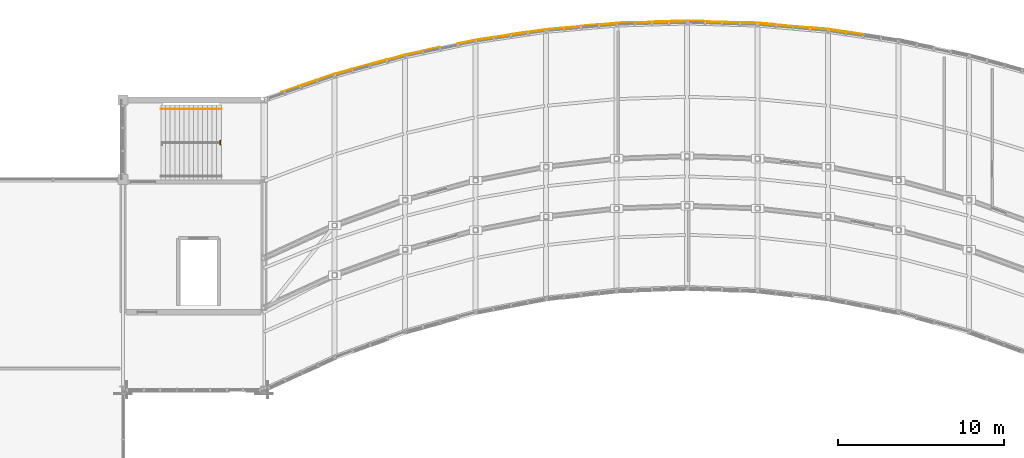
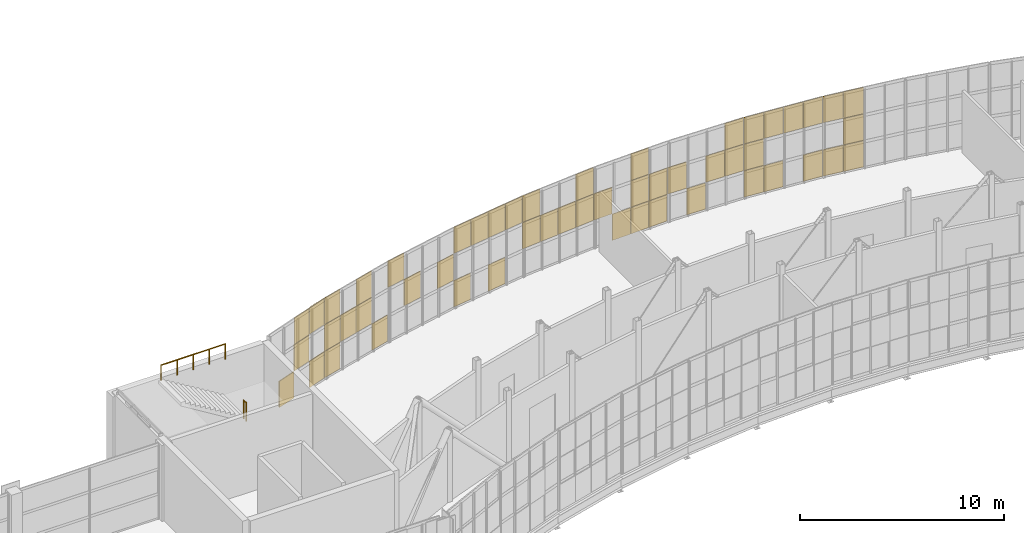
# One storey, part 44 of 46: 52 coverings, 2 railings.
"""IFC4 building model written with IfcOpenShell, lengths in metres."""

from ifc_helpers import new_model, si_unit, direction, frame, origin, origin_2d, place, context, subcontext, project, spatial, rectangle, circle, extrude, material, layer, layer_set, type_object, element, save


model = new_model("IFC4")

# Units and contexts
model_context = context("Model", 3, precision=1e-05, world=origin(), true_north=direction((0.0, 1.0)))
body_context = subcontext(model_context, "Body", "Model", "MODEL_VIEW")
ifc_project = project(units=[si_unit("LENGTHUNIT", "METRE"), si_unit("AREAUNIT", "SQUARE_METRE"), si_unit("VOLUMEUNIT", "CUBIC_METRE"), si_unit("PLANEANGLEUNIT", "RADIAN"), si_unit("MASSUNIT", "GRAM", prefix="KILO")], contexts=[model_context])

# Site, building, storey
site_placement = place(None, origin())
site = spatial("IfcSite", under=ifc_project, at=site_placement, CompositionType="ELEMENT")
building_placement = place(site_placement, origin())
building = spatial("IfcBuilding", under=site, at=building_placement, Name="Solvikara Media Centre", CompositionType="ELEMENT")
storey_placement = place(building_placement, frame((0.0, 0.0, 24.60009765625)))
storey = spatial("IfcBuildingStorey", under=building, at=storey_placement, Name="L05", CompositionType="ELEMENT", Elevation=24.60009765625)

# Coverings
ifc_material_1 = material(Name="GFRC white mineral architectural rainscreen panel")
ifc_layer_1 = layer(ifc_material_1, 0.050048828125)
ifc_layer_set_1 = layer_set([ifc_layer_1], Name="GFRC white mineral architectural rainscreen panel")
covering_type_1 = type_object("IfcCoveringType", Name="CV-04", PredefinedType="CLADDING", material=ifc_layer_set_1)
for number, where, z_axis, x_axis, name in (
    (1, (78.06298828125, 37.43603515625, 0.0146484375), (0.0, 0.0, 1.0), (0.945807995037, 0.324726402566, 0.0), "CW-L05-NARC-00-SF-10"),
    (2, (79.1259765625, 37.802001953125, 1.61474609375), (0.0, 0.0, 1.0), (0.945807995037, 0.324726402566, 0.0), "CW-L05-NARC-00-SF-21"),
    (3, (80.18798828125, 38.166015625, 0.0146484375), (0.0, 0.0, 1.0), (0.945807995037, 0.324726402566, 0.0), "CW-L05-NARC-00-SF-30"),
    (4, (80.18798828125, 38.166015625, 3.21484375), (0.0, 0.0, 1.0), (0.945807995037, 0.324726402566, 0.0), "CW-L05-NARC-00-SF-32"),
):
    element("IfcCovering", number, at=place(storey_placement, frame(where, z_axis=z_axis, x_axis=x_axis)), inside=storey, type_object=covering_type_1, Name=name, PredefinedType="CLADDING", context=body_context, shape_type="SweptSolid", body=[
        extrude(rectangle(XDim=1.093017578125, YDim=0.050048828125, at=origin_2d()), origin(), (0.0, 0.0, 1.0), 1.570068359375),
    ])
covering_1_placement = place(storey_placement, frame((81.256103515625, 38.4970703125, 0.0146484375), z_axis=(0.0, 0.0, 1.0), x_axis=(0.964289807992, 0.26484932736, 0.0)))
element("IfcCovering", 5, at=covering_1_placement, inside=storey, type_object=covering_type_1, Name="CW-L05-NARC-01-SF-00", PredefinedType="CLADDING", context=body_context, shape_type="SweptSolid", body=[
    extrude(rectangle(XDim=1.072021484375, YDim=0.050048828125, at=origin_2d()), origin(), (0.0, 0.0, 1.0), 1.570068359375),
])
for number, where, z_axis, x_axis, name in (
    (6, (82.319091796875, 38.7900390625, 1.61474609375), (0.0, 0.0, 1.0), (0.964049041264, 0.265724379832, 0.0), "CW-L05-NARC-01-SF-11"),
    (7, (83.381103515625, 39.08203125, 1.61474609375), (0.0, 0.0, 1.0), (0.964049041264, 0.265724379832, 0.0), "CW-L05-NARC-01-SF-21"),
):
    element("IfcCovering", number, at=place(storey_placement, frame(where, z_axis=z_axis, x_axis=x_axis)), inside=storey, type_object=covering_type_1, Name=name, PredefinedType="CLADDING", context=body_context, shape_type="SweptSolid", body=[
        extrude(rectangle(XDim=1.072998046875, YDim=0.050048828125, at=origin_2d()), origin(), (0.0, 0.0, 1.0), 1.570068359375),
    ])
covering_2_placement = place(storey_placement, frame((86.574951171875, 39.860107421875, 1.61474609375), z_axis=(0.0, 0.0, 1.0), x_axis=(0.978447760018, 0.206494505776, 0.0)))
element("IfcCovering", 8, at=covering_2_placement, inside=storey, type_object=covering_type_1, Name="CW-L05-NARC-02-SF-11", PredefinedType="CLADDING", context=body_context, shape_type="SweptSolid", body=[
    extrude(rectangle(XDim=1.055908203125, YDim=0.050048828125, at=origin_2d()), origin(), (0.0, 0.0, 1.0), 1.570068359375),
])
covering_3_placement = place(storey_placement, frame((91.89306640625, 40.819091796875, 3.21484375), z_axis=(0.0, 0.0, 1.0), x_axis=(0.989069971909, 0.147446907963, 0.0)))
element("IfcCovering", 9, at=covering_3_placement, inside=storey, type_object=covering_type_1, Name="CW-L05-NARC-03-SF-22", PredefinedType="CLADDING", context=body_context, shape_type="SweptSolid", body=[
    extrude(rectangle(XDim=1.0439453125, YDim=0.050048828125, at=origin_2d()), origin(), (0.0, 0.0, 1.0), 1.570068359375),
])
covering_4_placement = place(storey_placement, frame((96.14794921875, 41.29296875, 1.61474609375), z_axis=(0.0, 0.0, 1.0), x_axis=(0.996050368938, 0.088789991203, 0.0)))
element("IfcCovering", 10, at=covering_4_placement, inside=storey, type_object=covering_type_1, Name="CW-L05-NARC-04-SF-21", PredefinedType="CLADDING", context=body_context, shape_type="SweptSolid", body=[
    extrude(rectangle(XDim=1.035888671875, YDim=0.050048828125, at=origin_2d()), origin(), (0.0, 0.0, 1.0), 1.570068359375),
])
for number, where, z_axis, x_axis, name in (
    (11, (98.279052734375, 41.450927734375, 1.61474609375), (0.0, 0.0, 1.0), (0.999549967461, 0.02999770905, 0.0), "CW-L05-NARC-05-SF-01"),
    (12, (100.404052734375, 41.513916015625, 3.21484375), (0.0, 0.0, 1.0), (0.999549967461, 0.02999770905, 0.0), "CW-L05-NARC-05-SF-22"),
):
    element("IfcCovering", number, at=place(storey_placement, frame(where, z_axis=z_axis, x_axis=x_axis)), inside=storey, type_object=covering_type_1, Name=name, PredefinedType="CLADDING", context=body_context, shape_type="SweptSolid", body=[
        extrude(rectangle(XDim=1.032958984375, YDim=0.050048828125, at=origin_2d()), origin(), (0.0, 0.0, 1.0), 1.570068359375),
    ])
for number, where, z_axis, x_axis, name in (
    (13, (101.466064453125, 41.5458984375, 0.0146484375), (0.0, 0.0, 1.0), (0.999548919735, 0.030032599908, 0.0), "CW-L05-NARC-05-SF-30"),
    (14, (102.533935546875, 41.5458984375, 1.61474609375), (0.0, 0.0, 1.0), (0.999548919735, -0.030032599908, 0.0), "CW-L05-NARC-06-SF-01"),
):
    element("IfcCovering", number, at=place(storey_placement, frame(where, z_axis=z_axis, x_axis=x_axis)), inside=storey, type_object=covering_type_1, Name=name, PredefinedType="CLADDING", context=body_context, shape_type="SweptSolid", body=[
        extrude(rectangle(XDim=1.031982421875, YDim=0.050048828125, at=origin_2d()), origin(), (0.0, 0.0, 1.0), 1.570068359375),
    ])
covering_5_placement = place(storey_placement, frame((105.720947265625, 41.450927734375, 1.61474609375), z_axis=(0.0, 0.0, 1.0), x_axis=(0.999549967461, -0.02999770905, 0.0)))
element("IfcCovering", 15, at=covering_5_placement, inside=storey, type_object=covering_type_1, Name="CW-L05-NARC-06-SF-31", PredefinedType="CLADDING", context=body_context, shape_type="SweptSolid", body=[
    extrude(rectangle(XDim=1.032958984375, YDim=0.050048828125, at=origin_2d()), origin(), (0.0, 0.0, 1.0), 1.570068359375),
])
covering_6_placement = place(storey_placement, frame((106.7900390625, 41.387939453125, 0.0146484375), z_axis=(0.0, 0.0, 1.0), x_axis=(0.996142803437, -0.087746881202, 0.0)))
element("IfcCovering", 16, at=covering_6_placement, inside=storey, type_object=covering_type_1, Name="CW-L05-NARC-07-SF-00", PredefinedType="CLADDING", context=body_context, shape_type="SweptSolid", body=[
    extrude(rectangle(XDim=1.037109375, YDim=0.050048828125, at=origin_2d()), origin(), (0.0, 0.0, 1.0), 1.570068359375),
])
covering_7_placement = place(storey_placement, frame((109.97705078125, 41.10498046875, 0.0146484375), z_axis=(0.0, 0.0, 1.0), x_axis=(0.996050368938, -0.088789991203, 0.0)))
element("IfcCovering", 17, at=covering_7_placement, inside=storey, type_object=covering_type_1, Name="CW-L05-NARC-07-SF-30", PredefinedType="CLADDING", context=body_context, shape_type="SweptSolid", body=[
    extrude(rectangle(XDim=1.035888671875, YDim=0.050048828125, at=origin_2d()), origin(), (0.0, 0.0, 1.0), 1.570068359375),
])
covering_8_placement = place(storey_placement, frame((111.0458984375, 40.97705078125, 0.0146484375), z_axis=(0.0, 0.0, 1.0), x_axis=(0.988930567215, -0.148379018826, 0.0)))
element("IfcCovering", 18, at=covering_8_placement, inside=storey, type_object=covering_type_1, Name="CW-L05-NARC-08-SF-00", PredefinedType="CLADDING", context=body_context, shape_type="SweptSolid", body=[
    extrude(rectangle(XDim=1.044921875, YDim=0.050048828125, at=origin_2d()), origin(), (0.0, 0.0, 1.0), 1.570068359375),
])
for number, where, z_axis, x_axis, name in (
    (19, (112.10693359375, 40.819091796875, 0.0146484375), (0.0, 0.0, 1.0), (0.989069971909, -0.147446907963, 0.0), "CW-L05-NARC-08-SF-10"),
    (20, (112.10693359375, 40.819091796875, 1.61474609375), (0.0, 0.0, 1.0), (0.989069971909, -0.147446907963, 0.0), "CW-L05-NARC-08-SF-11"),
    (21, (112.10693359375, 40.819091796875, 3.21484375), (0.0, 0.0, 1.0), (0.989069971909, -0.147446907963, 0.0), "CW-L05-NARC-08-SF-12"),
):
    element("IfcCovering", number, at=place(storey_placement, frame(where, z_axis=z_axis, x_axis=x_axis)), inside=storey, type_object=covering_type_1, Name=name, PredefinedType="CLADDING", context=body_context, shape_type="SweptSolid", body=[
        extrude(rectangle(XDim=1.0439453125, YDim=0.050048828125, at=origin_2d()), origin(), (0.0, 0.0, 1.0), 1.570068359375),
    ])
ifc_material_2 = material(Name="Insulated silver-pearl glass spandrel panel", Category="glass")
ifc_layer_2 = layer(ifc_material_2, 0.034912109375)
ifc_layer_set_2 = layer_set([ifc_layer_2], Name="Insulated silver-pearl glass spandrel panel")
covering_type_2 = type_object("IfcCoveringType", Name="CV-06", PredefinedType="CLADDING", material=ifc_layer_set_2)
covering_9_placement = place(storey_placement, frame((79.12890625, 37.7919921875, 3.21484375), z_axis=(0.0, 0.0, 1.0), x_axis=(0.945529939496, 0.325535149434, 0.0)))
element("IfcCovering", 22, at=covering_9_placement, inside=storey, type_object=covering_type_2, Name="CW-L05-NARC-00-PX-22", PredefinedType="CLADDING", context=body_context, shape_type="SweptSolid", body=[
    extrude(rectangle(XDim=1.093994140625, YDim=0.034912109375, at=origin_2d()), origin(), (0.0, 0.0, 1.0), 1.570068359375),
])
for number, where, z_axis, x_axis, name in (
    (23, (81.259033203125, 38.487060546875, 1.61474609375), (0.0, 0.0, 1.0), (0.964049041264, 0.265724379832, 0.0), "CW-L05-NARC-01-PX-01"),
    (24, (81.259033203125, 38.487060546875, 3.21484375), (0.0, 0.0, 1.0), (0.964049041264, 0.265724379832, 0.0), "CW-L05-NARC-01-PX-02"),
    (25, (83.384033203125, 39.072998046875, 3.21484375), (0.0, 0.0, 1.0), (0.964049041264, 0.265724379832, 0.0), "CW-L05-NARC-01-PX-22"),
):
    element("IfcCovering", number, at=place(storey_placement, frame(where, z_axis=z_axis, x_axis=x_axis)), inside=storey, type_object=covering_type_2, Name=name, PredefinedType="CLADDING", context=body_context, shape_type="SweptSolid", body=[
        extrude(rectangle(XDim=1.072998046875, YDim=0.034912109375, at=origin_2d()), origin(), (0.0, 0.0, 1.0), 1.570068359375),
    ])
covering_10_placement = place(storey_placement, frame((84.447021484375, 39.364990234375, 0.0146484375), z_axis=(0.0, 0.0, 1.0), x_axis=(0.963984083771, 0.265959933516, 0.0)))
element("IfcCovering", 26, at=covering_10_placement, inside=storey, type_object=covering_type_2, Name="CW-L05-NARC-01-PX-30", PredefinedType="CLADDING", context=body_context, shape_type="SweptSolid", body=[
    extrude(rectangle(XDim=1.072021484375, YDim=0.034912109375, at=origin_2d()), origin(), (0.0, 0.0, 1.0), 1.570068359375),
])
for number, where, z_axis, x_axis, name in (
    (27, (85.512939453125, 39.6259765625, 3.21484375), (0.0, 0.0, 1.0), (0.978256328953, 0.207399505455, 0.0), "CW-L05-NARC-02-PX-02"),
    (28, (88.701904296875, 40.299072265625, 1.61474609375), (0.0, 0.0, 1.0), (0.978447760018, 0.206494505776, 0.0), "CW-L05-NARC-02-PX-31"),
):
    element("IfcCovering", number, at=place(storey_placement, frame(where, z_axis=z_axis, x_axis=x_axis)), inside=storey, type_object=covering_type_2, Name=name, PredefinedType="CLADDING", context=body_context, shape_type="SweptSolid", body=[
        extrude(rectangle(XDim=1.055908203125, YDim=0.034912109375, at=origin_2d()), origin(), (0.0, 0.0, 1.0), 1.570068359375),
    ])
for number, where, z_axis, x_axis, name in (
    (29, (89.76806640625, 40.491943359375, 0.0146484375), (0.0, 0.0, 1.0), (0.988930567215, 0.148379018826, 0.0), "CW-L05-NARC-03-PX-00"),
    (30, (89.76806640625, 40.491943359375, 3.21484375), (0.0, 0.0, 1.0), (0.988930567215, 0.148379018826, 0.0), "CW-L05-NARC-03-PX-02"),
):
    element("IfcCovering", number, at=place(storey_placement, frame(where, z_axis=z_axis, x_axis=x_axis)), inside=storey, type_object=covering_type_2, Name=name, PredefinedType="CLADDING", context=body_context, shape_type="SweptSolid", body=[
        extrude(rectangle(XDim=1.044921875, YDim=0.034912109375, at=origin_2d()), origin(), (0.0, 0.0, 1.0), 1.570068359375),
    ])
for number, where, z_axis, x_axis, name in (
    (31, (90.83203125, 40.64990234375, 3.21484375), (0.0, 0.0, 1.0), (0.989069971909, 0.147446907963, 0.0), "CW-L05-NARC-03-PX-12"),
    (32, (91.89306640625, 40.80908203125, 0.0146484375), (0.0, 0.0, 1.0), (0.989069971909, 0.147446907963, 0.0), "CW-L05-NARC-03-PX-20"),
    (33, (92.95703125, 40.968017578125, 3.21484375), (0.0, 0.0, 1.0), (0.989069971909, 0.147446907963, 0.0), "CW-L05-NARC-03-PX-32"),
):
    element("IfcCovering", number, at=place(storey_placement, frame(where, z_axis=z_axis, x_axis=x_axis)), inside=storey, type_object=covering_type_2, Name=name, PredefinedType="CLADDING", context=body_context, shape_type="SweptSolid", body=[
        extrude(rectangle(XDim=1.0439453125, YDim=0.034912109375, at=origin_2d()), origin(), (0.0, 0.0, 1.0), 1.570068359375),
    ])
for number, where, z_axis, x_axis, name in (
    (34, (94.02392578125, 41.094970703125, 1.61474609375), (0.0, 0.0, 1.0), (0.996050368938, 0.088789991203, 0.0), "CW-L05-NARC-04-PX-01"),
    (35, (94.02392578125, 41.094970703125, 3.21484375), (0.0, 0.0, 1.0), (0.996050368938, 0.088789991203, 0.0), "CW-L05-NARC-04-PX-02"),
):
    element("IfcCovering", number, at=place(storey_placement, frame(where, z_axis=z_axis, x_axis=x_axis)), inside=storey, type_object=covering_type_2, Name=name, PredefinedType="CLADDING", context=body_context, shape_type="SweptSolid", body=[
        extrude(rectangle(XDim=1.035888671875, YDim=0.034912109375, at=origin_2d()), origin(), (0.0, 0.0, 1.0), 1.570068359375),
    ])
for number, where, z_axis, x_axis, name in (
    (36, (95.0869140625, 41.18896484375, 1.61474609375), (0.0, 0.0, 1.0), (0.996058113534, 0.088703069073, 0.0), "CW-L05-NARC-04-PX-11"),
    (37, (97.2119140625, 41.376953125, 1.61474609375), (0.0, 0.0, 1.0), (0.996142803437, 0.087746881202, 0.0), "CW-L05-NARC-04-PX-31"),
    (38, (97.2119140625, 41.376953125, 3.21484375), (0.0, 0.0, 1.0), (0.996142803437, 0.087746881202, 0.0), "CW-L05-NARC-04-PX-32"),
):
    element("IfcCovering", number, at=place(storey_placement, frame(where, z_axis=z_axis, x_axis=x_axis)), inside=storey, type_object=covering_type_2, Name=name, PredefinedType="CLADDING", context=body_context, shape_type="SweptSolid", body=[
        extrude(rectangle(XDim=1.037109375, YDim=0.034912109375, at=origin_2d()), origin(), (0.0, 0.0, 1.0), 1.570068359375),
    ])
covering_11_placement = place(storey_placement, frame((99.341064453125, 41.471923828125, 0.0146484375), z_axis=(0.0, 0.0, 1.0), x_axis=(0.999549967461, 0.02999770905, 0.0)))
element("IfcCovering", 39, at=covering_11_placement, inside=storey, type_object=covering_type_2, Name="CW-L05-NARC-05-PX-10", PredefinedType="CLADDING", context=body_context, shape_type="SweptSolid", body=[
    extrude(rectangle(XDim=1.032958984375, YDim=0.034912109375, at=origin_2d()), origin(), (0.0, 0.0, 1.0), 1.570068359375),
])
for number, where, z_axis, x_axis, name in (
    (40, (100.404052734375, 41.50390625, 0.0146484375), (0.0, 0.0, 1.0), (0.999548919735, 0.030032599908, 0.0), "CW-L05-NARC-05-PX-20"),
    (41, (100.404052734375, 41.50390625, 1.61474609375), (0.0, 0.0, 1.0), (0.999548919735, 0.030032599908, 0.0), "CW-L05-NARC-05-PX-21"),
):
    element("IfcCovering", number, at=place(storey_placement, frame(where, z_axis=z_axis, x_axis=x_axis)), inside=storey, type_object=covering_type_2, Name=name, PredefinedType="CLADDING", context=body_context, shape_type="SweptSolid", body=[
        extrude(rectangle(XDim=1.031982421875, YDim=0.034912109375, at=origin_2d()), origin(), (0.0, 0.0, 1.0), 1.570068359375),
    ])
covering_12_placement = place(storey_placement, frame((101.466064453125, 41.534912109375, 1.61474609375), z_axis=(0.0, 0.0, 1.0), x_axis=(0.999549967461, 0.02999770905, 0.0)))
element("IfcCovering", 42, at=covering_12_placement, inside=storey, type_object=covering_type_2, Name="CW-L05-NARC-05-PX-31", PredefinedType="CLADDING", context=body_context, shape_type="SweptSolid", body=[
    extrude(rectangle(XDim=1.032958984375, YDim=0.034912109375, at=origin_2d()), origin(), (0.0, 0.0, 1.0), 1.570068359375),
])
covering_13_placement = place(storey_placement, frame((103.595947265625, 41.50390625, 0.0146484375), z_axis=(0.0, 0.0, 1.0), x_axis=(0.999548919735, -0.030032599908, 0.0)))
element("IfcCovering", 43, at=covering_13_placement, inside=storey, type_object=covering_type_2, Name="CW-L05-NARC-06-PX-10", PredefinedType="CLADDING", context=body_context, shape_type="SweptSolid", body=[
    extrude(rectangle(XDim=1.031982421875, YDim=0.034912109375, at=origin_2d()), origin(), (0.0, 0.0, 1.0), 1.570068359375),
])
covering_14_placement = place(storey_placement, frame((104.658935546875, 41.471923828125, 1.61474609375), z_axis=(0.0, 0.0, 1.0), x_axis=(0.999549967461, -0.02999770905, 0.0)))
element("IfcCovering", 44, at=covering_14_placement, inside=storey, type_object=covering_type_2, Name="CW-L05-NARC-06-PX-21", PredefinedType="CLADDING", context=body_context, shape_type="SweptSolid", body=[
    extrude(rectangle(XDim=1.032958984375, YDim=0.034912109375, at=origin_2d()), origin(), (0.0, 0.0, 1.0), 1.570068359375),
])
covering_15_placement = place(storey_placement, frame((105.720947265625, 41.44091796875, 3.21484375), z_axis=(0.0, 0.0, 1.0), x_axis=(0.999548919735, -0.030032599908, 0.0)))
element("IfcCovering", 45, at=covering_15_placement, inside=storey, type_object=covering_type_2, Name="CW-L05-NARC-06-PX-32", PredefinedType="CLADDING", context=body_context, shape_type="SweptSolid", body=[
    extrude(rectangle(XDim=1.031982421875, YDim=0.034912109375, at=origin_2d()), origin(), (0.0, 0.0, 1.0), 1.570068359375),
])
for number, where, z_axis, x_axis, name in (
    (46, (106.7880859375, 41.376953125, 1.61474609375), (0.0, 0.0, 1.0), (0.996142803437, -0.087746881202, 0.0), "CW-L05-NARC-07-PX-01"),
    (47, (106.7880859375, 41.376953125, 3.21484375), (0.0, 0.0, 1.0), (0.996142803437, -0.087746881202, 0.0), "CW-L05-NARC-07-PX-02"),
):
    element("IfcCovering", number, at=place(storey_placement, frame(where, z_axis=z_axis, x_axis=x_axis)), inside=storey, type_object=covering_type_2, Name=name, PredefinedType="CLADDING", context=body_context, shape_type="SweptSolid", body=[
        extrude(rectangle(XDim=1.037109375, YDim=0.034912109375, at=origin_2d()), origin(), (0.0, 0.0, 1.0), 1.570068359375),
    ])
for number, where, z_axis, x_axis, name in (
    (48, (107.85107421875, 41.282958984375, 0.0146484375), (0.0, 0.0, 1.0), (0.996050368938, -0.088789991203, 0.0), "CW-L05-NARC-07-PX-10"),
    (49, (107.85107421875, 41.282958984375, 3.21484375), (0.0, 0.0, 1.0), (0.996050368938, -0.088789991203, 0.0), "CW-L05-NARC-07-PX-12"),
):
    element("IfcCovering", number, at=place(storey_placement, frame(where, z_axis=z_axis, x_axis=x_axis)), inside=storey, type_object=covering_type_2, Name=name, PredefinedType="CLADDING", context=body_context, shape_type="SweptSolid", body=[
        extrude(rectangle(XDim=1.035888671875, YDim=0.034912109375, at=origin_2d()), origin(), (0.0, 0.0, 1.0), 1.570068359375),
    ])
covering_16_placement = place(storey_placement, frame((108.9130859375, 41.18896484375, 3.21484375), z_axis=(0.0, 0.0, 1.0), x_axis=(0.996058113534, -0.088703069073, 0.0)))
element("IfcCovering", 50, at=covering_16_placement, inside=storey, type_object=covering_type_2, Name="CW-L05-NARC-07-PX-22", PredefinedType="CLADDING", context=body_context, shape_type="SweptSolid", body=[
    extrude(rectangle(XDim=1.037109375, YDim=0.034912109375, at=origin_2d()), origin(), (0.0, 0.0, 1.0), 1.570068359375),
])
covering_17_placement = place(storey_placement, frame((109.97607421875, 41.094970703125, 3.21484375), z_axis=(0.0, 0.0, 1.0), x_axis=(0.996050368938, -0.088789991203, 0.0)))
element("IfcCovering", 51, at=covering_17_placement, inside=storey, type_object=covering_type_2, Name="CW-L05-NARC-07-PX-32", PredefinedType="CLADDING", context=body_context, shape_type="SweptSolid", body=[
    extrude(rectangle(XDim=1.035888671875, YDim=0.034912109375, at=origin_2d()), origin(), (0.0, 0.0, 1.0), 1.570068359375),
])
covering_18_placement = place(storey_placement, frame((111.04296875, 40.968017578125, 3.21484375), z_axis=(0.0, 0.0, 1.0), x_axis=(0.989069971909, -0.147446907963, 0.0)))
element("IfcCovering", 52, at=covering_18_placement, inside=storey, type_object=covering_type_2, Name="CW-L05-NARC-08-PX-02", PredefinedType="CLADDING", context=body_context, shape_type="SweptSolid", body=[
    extrude(rectangle(XDim=1.0439453125, YDim=0.034912109375, at=origin_2d()), origin(), (0.0, 0.0, 1.0), 1.570068359375),
])

# Railings
ifc_material_3 = material(Name="Steel S355JR", Category="steel")
railing_type_1 = type_object("IfcRailingType", Name="GR-02", PredefinedType="BALUSTRADE", material=ifc_material_3)
railing_1_placement = place(storey_placement, frame((73.860107421875, 34.10009765625, 2.39990234375)))
element("IfcRailing", 53, at=railing_1_placement, inside=storey, type_object=railing_type_1, Name="GR-C3-L05-M", PredefinedType="BALUSTRADE", context=body_context, shape_type="SweptSolid", body=[
    extrude(circle(Radius=0.02392578125, at=origin_2d()), frame((0.0, 0.0, 1.09619140625), z_axis=(0.0, 1.0, 0.0), x_axis=(-1.0, 0.0, 0.0)), (0.0, 0.0, 1.0), 0.25),
    extrude(circle(Radius=0.02099609375, at=origin_2d()), origin(), (0.0, 0.0, 1.0), 1.072021484375),
    extrude(circle(Radius=0.02099609375, at=origin_2d()), frame((0.0, 0.25, 0.0)), (0.0, 0.0, 1.0), 1.072021484375),
])
railing_type_2 = type_object("IfcRailingType", Name="HR-01", PredefinedType="HANDRAIL", material=ifc_material_3)
railing_2_placement = place(storey_placement, frame((73.919921875, 36.25, 4.7998046875)))
element("IfcRailing", 54, at=railing_2_placement, inside=storey, type_object=railing_type_2, Name="HR-C3-L05-2", PredefinedType="HANDRAIL", context=body_context, shape_type="SweptSolid", body=[
    extrude(circle(Radius=0.02392578125, at=origin_2d()), frame((0.0, 0.0, 0.89599609375), z_axis=(-1.0, 0.0, 0.0), x_axis=(0.0, -1.0, 0.0)), (0.0, 0.0, 1.0), 3.639892578125),
    extrude(circle(Radius=0.02099609375, at=origin_2d()), origin(), (0.0, 0.0, 1.0), 0.871826171875),
    extrude(circle(Radius=0.02099609375, at=origin_2d()), frame((-0.909912109375, 0.0, 0.0)), (0.0, 0.0, 1.0), 0.871826171875),
    extrude(circle(Radius=0.02099609375, at=origin_2d()), frame((-1.81982421875, 0.0, 0.0)), (0.0, 0.0, 1.0), 0.871826171875),
    extrude(circle(Radius=0.02099609375, at=origin_2d()), frame((-2.72998046875, 0.0, 0.0)), (0.0, 0.0, 1.0), 0.871826171875),
    extrude(circle(Radius=0.02099609375, at=origin_2d()), frame((-3.639892578125, 0.0, 0.0)), (0.0, 0.0, 1.0), 0.871826171875),
])

save(model, "model.ifc")
